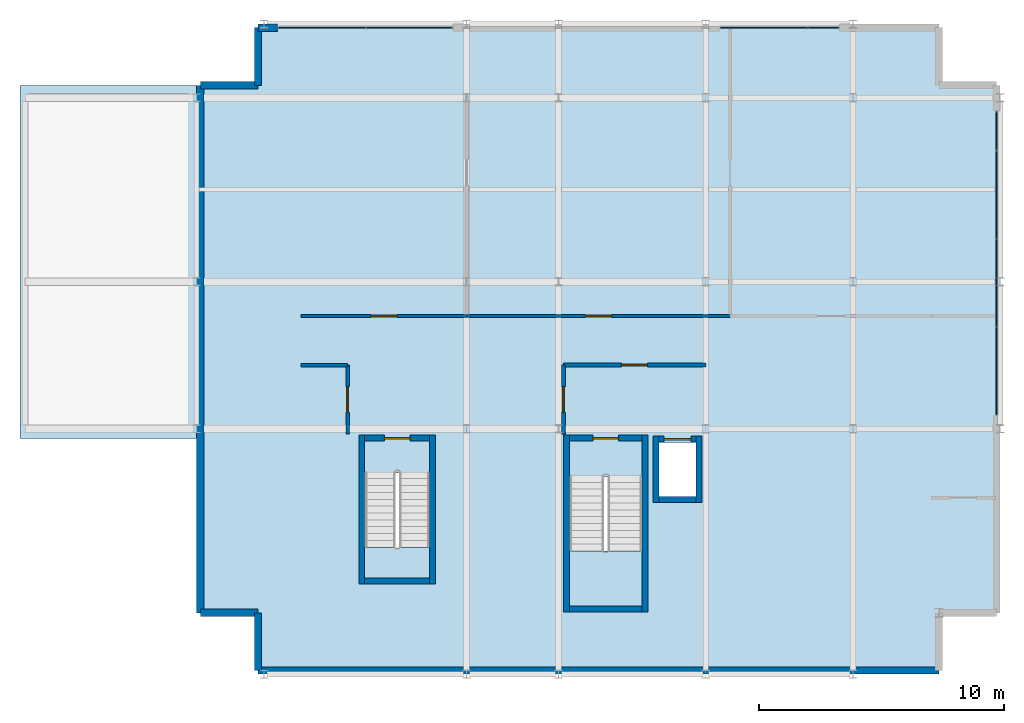
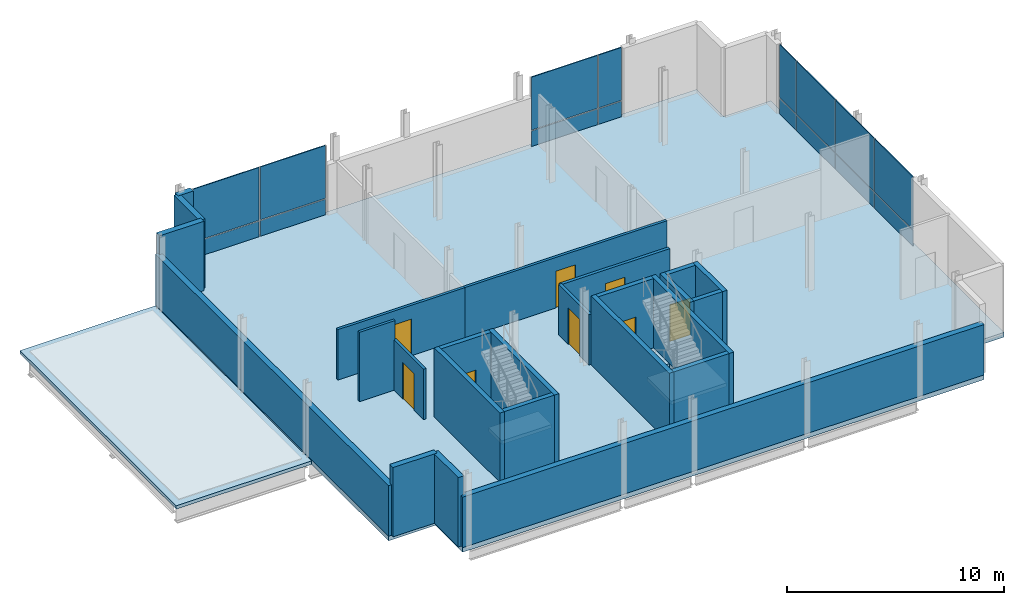
# One storey, part 9 of 11: 25 walls, 16 plates, 8 doors, 4 slabs, 8 openings, 5 elements without a shape of their own.
"""IFC4 building model written with IfcOpenShell, lengths in metres."""

import ifcopenshell
import ifcopenshell.guid

model = None  # the IFC model being written
_history = None  # IfcOwnerHistory: only IFC2X3 demands one
_inside = {}  # id of a spatial element -> (the spatial element, [elements in it])
_under = {}  # id of a project, library or spatial element -> (it, [spatial elements below it])
_declared = {}  # id of a project -> (the project, [libraries it declares])
_typed = {}  # id of a type object -> (the type object, [elements of that type])
_made_of = {}  # id of a material, layer set ... -> (it, [elements and type objects made of it])


def new_model(schema):
    """Start an empty IFC model of exactly this schema.

    Asked for "IFC4X3", IfcOpenShell would pick the latest addendum, in which some entities
    have other attributes; the version numbers below select the first issue.
    IFC2X3 requires an IfcOwnerHistory on every rooted entity: one is made here for all.
    """
    global model, _history
    if schema == "IFC4X3":
        model = ifcopenshell.file(schema_version=(4, 3, 0, 0))
    else:
        model = ifcopenshell.file(schema=schema)
    _inside.clear()
    _under.clear()
    _declared.clear()
    _typed.clear()
    _made_of.clear()
    _history = None
    if model.schema == "IFC2X3":
        org = make("IfcOrganization", Name="unknown")
        user = make(
            "IfcPersonAndOrganization",
            ThePerson=make("IfcPerson", FamilyName="unknown"),
            TheOrganization=org,
        )
        app = make(
            "IfcApplication",
            ApplicationDeveloper=org,
            Version="unknown",
            ApplicationFullName="unknown",
            ApplicationIdentifier="unknown",
        )
        _history = make(
            "IfcOwnerHistory",
            OwningUser=user,
            OwningApplication=app,
            ChangeAction="ADDED",
            CreationDate=0,
        )
    return model


def make(cls, **values):
    """One entity of the class cls with the attributes given. An attribute that is None is left unset."""
    return model.create_entity(
        cls, **{name: value for name, value in values.items() if value is not None}
    )


def rooted(cls, **values):
    """An entity with a GlobalId (a new one), such as an element, a storey or a relation."""
    return make(cls, GlobalId=ifcopenshell.guid.new(), OwnerHistory=_history, **values)


def si_unit(unit_type, name, prefix=None):
    """IfcSIUnit, for example si_unit("LENGTHUNIT", "METRE", prefix="MILLI")."""
    return make("IfcSIUnit", UnitType=unit_type, Prefix=prefix, Name=name)


def assignment(units):
    """IfcUnitAssignment: the units of a project."""
    return None if units is None else make("IfcUnitAssignment", Units=units)


def point(xyz):
    """IfcCartesianPoint."""
    return None if xyz is None else make("IfcCartesianPoint", Coordinates=xyz)


def direction(xyz):
    """IfcDirection."""
    return None if xyz is None else make("IfcDirection", DirectionRatios=xyz)


def frame(location, z_axis=None, x_axis=None):
    """IfcAxis2Placement3D, a coordinate frame: its origin and axes. An axis left out is left unset."""
    return make(
        "IfcAxis2Placement3D",
        Location=point(location),
        Axis=direction(z_axis),
        RefDirection=direction(x_axis),
    )


def frame_2d(location, x_axis=None):
    """IfcAxis2Placement2D, a coordinate frame in the plane: its origin and x axis."""
    return make(
        "IfcAxis2Placement2D", Location=point(location), RefDirection=direction(x_axis)
    )


def origin():
    """The frame at (0, 0, 0) with its axes left unset."""
    return frame((0.0, 0.0, 0.0))


def origin_2d():
    """The frame at (0, 0) in the plane with its x axis left unset."""
    return frame_2d((0.0, 0.0))


def place(relative_to, where):
    """IfcLocalPlacement: puts the frame where relative to a parent placement (None: the world)."""
    return make(
        "IfcLocalPlacement", PlacementRelTo=relative_to, RelativePlacement=where
    )


def context(
    kind, dimensions, precision=None, world=None, true_north=None, identifier=None
):
    """IfcGeometricRepresentationContext, for example the 3D "Model" context."""
    return make(
        "IfcGeometricRepresentationContext",
        ContextIdentifier=identifier,
        ContextType=kind,
        CoordinateSpaceDimension=dimensions,
        Precision=precision,
        WorldCoordinateSystem=world,
        TrueNorth=true_north,
    )


def subcontext(parent, identifier, kind, view, scale=None):
    """IfcGeometricRepresentationSubContext, for example "Body" below "Model"."""
    return make(
        "IfcGeometricRepresentationSubContext",
        ContextIdentifier=identifier,
        ContextType=kind,
        ParentContext=parent,
        TargetScale=scale,
        TargetView=view,
    )


def project(units=None, contexts=None):
    """IfcProject with its units and contexts."""
    return rooted(
        "IfcProject",
        Name="project",
        RepresentationContexts=contexts,
        UnitsInContext=assignment(units),
    )


def spatial(cls, under=None, at=None, **own):
    """A site, building, storey or space (cls), placed at a placement, below another one or the project."""
    s = rooted(cls, ObjectPlacement=at, **own)
    if under is not None:
        _under.setdefault(under.id(), (under, []))[1].append(s)
    return s


def polyline(points):
    """IfcPolyline through the points."""
    return make("IfcPolyline", Points=[point(p) for p in points])


def profile(cls, at=None, kind="AREA", **sizes):
    """A parametric profile (cls). Its sizes go by their IFC names, for example OverallWidth=200.0."""
    return make(cls, ProfileType=kind, Position=at, **sizes)


def rectangle(**sizes):
    """IfcRectangleProfileDef."""
    return profile("IfcRectangleProfileDef", **sizes)


def outline(outer, holes=None, kind="AREA"):
    """IfcArbitraryClosedProfileDef: a profile drawn as a closed curve; with holes, ...WithVoids."""
    if holes is None:
        return make("IfcArbitraryClosedProfileDef", ProfileType=kind, OuterCurve=outer)
    return make(
        "IfcArbitraryProfileDefWithVoids",
        ProfileType=kind,
        OuterCurve=outer,
        InnerCurves=holes,
    )


def extrude(swept, where, along, depth):
    """IfcExtrudedAreaSolid: the profile swept, set in the frame where, extruded along a direction by depth."""
    return make(
        "IfcExtrudedAreaSolid",
        SweptArea=swept,
        Position=where,
        ExtrudedDirection=direction(along),
        Depth=depth,
    )


def shape(context_of_items, identifier, shape_type, items):
    """IfcShapeRepresentation: the items that make up one representation, for example the "Body"."""
    return make(
        "IfcShapeRepresentation",
        ContextOfItems=context_of_items,
        RepresentationIdentifier=identifier,
        RepresentationType=shape_type,
        Items=items,
    )


def material(Name=None, Category=None):
    """IfcMaterial."""
    return make("IfcMaterial", Name=Name, Category=Category)


def layer(
    of_material, thickness, ventilated=None, Name=None, Category=None, Priority=None
):
    """IfcMaterialLayer: one layer of a wall or slab, of a material (None: an air gap)."""
    return make(
        "IfcMaterialLayer",
        Material=of_material,
        LayerThickness=thickness,
        IsVentilated=ventilated,
        Name=Name,
        Category=Category,
        Priority=Priority,
    )


def layer_set(layers, Name=None):
    """IfcMaterialLayerSet."""
    return make("IfcMaterialLayerSet", MaterialLayers=layers, LayerSetName=Name)


def made_of(thing, what):
    """Note that an element or type object is made of a material, layer set ...; save() writes the relation."""
    if what is not None:
        _made_of.setdefault(what.id(), (what, []))[1].append(thing)
    return thing


def type_object(cls, material=None, **own):
    """A type object (cls), such as IfcWallType, which elements share."""
    return made_of(rooted(cls, **own), material)


def element(
    cls,
    number,
    at=None,
    inside=None,
    cuts=None,
    type_object=None,
    material=None,
    context=None,
    identifier="Body",
    shape_type=None,
    held_by="IfcProductDefinitionShape",
    body=None,
    shapes=None,
    **own,
):
    """One element of the class cls, such as IfcWall. Its Tag is "e" and its number.

    at: its placement. inside: the storey or other place that contains it. cuts: it is an
    opening in that element (IfcRelVoidsElement). A single representation is given by context,
    identifier, shape_type and body (its items); several are given by shapes. held_by: the class
    of the entity that holds the representations. save() writes the other relations.
    """
    e = rooted(cls, Tag="e%d" % number, ObjectPlacement=at, **own)
    if body is not None:
        shapes = [shape(context, identifier, shape_type, body)]
    if shapes is not None:
        e.Representation = make(held_by, Representations=shapes)
    if inside is not None:
        _inside.setdefault(inside.id(), (inside, []))[1].append(e)
    if cuts is not None:
        rooted(
            "IfcRelVoidsElement", RelatingBuildingElement=cuts, RelatedOpeningElement=e
        )
    if type_object is not None:
        _typed.setdefault(type_object.id(), (type_object, []))[1].append(e)
    return made_of(e, material)


def fill(opening, filler):
    """IfcRelFillsElement: the door or window that sits in an opening."""
    return rooted(
        "IfcRelFillsElement",
        RelatingOpeningElement=opening,
        RelatedBuildingElement=filler,
    )


def aggregate(whole, parts):
    """IfcRelAggregates: a whole, such as a stair, and the parts it consists of."""
    return rooted("IfcRelAggregates", RelatingObject=whole, RelatedObjects=parts)


def save(model, path):
    """Write the relations noted so far, then the file.

    IfcRelAggregates (storeys below a building ...), IfcRelContainedInSpatialStructure (elements
    in a storey), IfcRelDefinesByType, IfcRelAssociatesMaterial and IfcRelDeclares: one each for
    every whole, place, type object, material and project.
    """
    for whole, parts in _under.values():
        aggregate(whole, parts)
    for where, things in _inside.values():
        rooted(
            "IfcRelContainedInSpatialStructure",
            RelatedElements=things,
            RelatingStructure=where,
        )
    for kind, things in _typed.values():
        rooted("IfcRelDefinesByType", RelatedObjects=things, RelatingType=kind)
    for what, things in _made_of.values():
        rooted("IfcRelAssociatesMaterial", RelatedObjects=things, RelatingMaterial=what)
    for by, libraries in _declared.values():
        rooted("IfcRelDeclares", RelatingContext=by, RelatedDefinitions=libraries)
    model.write(path)


model = new_model("IFC4")

# Units and contexts
model_context = context("Model", 3, precision=1e-05, world=origin(), true_north=direction((0.0, 1.0)))
body_context = subcontext(model_context, "Body", "Model", "MODEL_VIEW")
ifc_project = project(units=[si_unit("LENGTHUNIT", "METRE"), si_unit("AREAUNIT", "SQUARE_METRE"), si_unit("VOLUMEUNIT", "CUBIC_METRE"), si_unit("PLANEANGLEUNIT", "RADIAN"), si_unit("MASSUNIT", "GRAM", prefix="KILO")], contexts=[model_context])

# Site, building, storey
site_placement = place(None, origin())
site = spatial("IfcSite", under=ifc_project, at=site_placement, CompositionType="ELEMENT")
building_placement = place(site_placement, origin())
building = spatial("IfcBuilding", under=site, at=building_placement, Name="Brevholm Reach", CompositionType="ELEMENT")
storey_placement = place(building_placement, frame((0.0, 0.0, 247.25)))
storey = spatial("IfcBuildingStorey", under=building, at=storey_placement, Name="L75", CompositionType="ELEMENT", Elevation=247.25)

# Curtain wall, plates
ifc_material_1 = material(Name="Dark Anodised Aluminium 6063-T6 and Solar-Control Glass", Category="aluminium")
ifc_layer_1 = layer(ifc_material_1, 0.1201171875)
ifc_layer_set_1 = layer_set([ifc_layer_1], Name="Dark Anodised Aluminium 6063-T6 and Solar-Control Glass")
curtain_wall_type = type_object("IfcCurtainWallType", Name="CW-06", PredefinedType="NOTDEFINED", material=ifc_layer_set_1)
curtain_wall_1_placement = place(storey_placement, origin())
curtain_wall_1 = element("IfcCurtainWall", 1, at=curtain_wall_1_placement, inside=storey, type_object=curtain_wall_type, Name="L75 Curtain Wall CW-06", PredefinedType="NOTDEFINED")
ifc_material_2 = material(Name="Champagne-Bronze Anodised Aluminium Acoustic Louvre", Category="aluminium")
ifc_layer_2 = layer(ifc_material_2, 0.052001953125)
ifc_layer_set_2 = layer_set([ifc_layer_2], Name="Champagne-Bronze Anodised Aluminium Acoustic Louvre")
plate_type = type_object("IfcPlateType", Name="CWP-LVR-52", PredefinedType="CURTAIN_PANEL", material=ifc_layer_set_2)
plate_1_placement = place(storey_placement, frame((59.85009765625, 12.36376953125, 0.0), z_axis=(0.0, 0.0, 1.0), x_axis=(0.0, 1.0, 0.0)))
plate_1 = element("IfcPlate", 2, at=plate_1_placement, type_object=plate_type, Name="CP-04 Glazing Panel 1.1", PredefinedType="CURTAIN_PANEL", context=body_context, shape_type="SweptSolid", body=[
    extrude(rectangle(XDim=3.517578125, YDim=0.052001953125, at=origin_2d()), origin(), (0.0, 0.0, 1.0), 0.87255859375),
])
plate_2_placement = place(storey_placement, frame((59.85009765625, 12.36376953125, 0.927734375), z_axis=(0.0, 0.0, 1.0), x_axis=(0.0, 1.0, 0.0)))
plate_2 = element("IfcPlate", 3, at=plate_2_placement, type_object=plate_type, Name="CP-04 Glazing Panel 1.2", PredefinedType="CURTAIN_PANEL", context=body_context, shape_type="SweptSolid", body=[
    extrude(rectangle(XDim=3.517578125, YDim=0.052001953125, at=origin_2d()), origin(), (0.0, 0.0, 1.0), 2.972412109375),
])
plate_3_placement = place(storey_placement, frame((59.85009765625, 15.949951171875, 0.0), z_axis=(0.0, 0.0, 1.0), x_axis=(0.0, 1.0, 0.0)))
plate_3 = element("IfcPlate", 4, at=plate_3_placement, type_object=plate_type, Name="CP-04 Glazing Panel 2.1", PredefinedType="CURTAIN_PANEL", context=body_context, shape_type="SweptSolid", body=[
    extrude(rectangle(XDim=3.544921875, YDim=0.052001953125, at=origin_2d()), origin(), (0.0, 0.0, 1.0), 0.87255859375),
])
plate_4_placement = place(storey_placement, frame((59.85009765625, 15.949951171875, 0.927734375), z_axis=(0.0, 0.0, 1.0), x_axis=(0.0, 1.0, 0.0)))
plate_4 = element("IfcPlate", 5, at=plate_4_placement, type_object=plate_type, Name="CP-04 Glazing Panel 2.2", PredefinedType="CURTAIN_PANEL", context=body_context, shape_type="SweptSolid", body=[
    extrude(rectangle(XDim=3.544921875, YDim=0.052001953125, at=origin_2d()), origin(), (0.0, 0.0, 1.0), 2.972412109375),
])
plate_5_placement = place(storey_placement, frame((59.85009765625, 19.550048828125, 0.0), z_axis=(0.0, 0.0, 1.0), x_axis=(0.0, 1.0, 0.0)))
plate_5 = element("IfcPlate", 6, at=plate_5_placement, type_object=plate_type, Name="CP-04 Glazing Panel 3.1", PredefinedType="CURTAIN_PANEL", context=body_context, shape_type="SweptSolid", body=[
    extrude(rectangle(XDim=3.544921875, YDim=0.052001953125, at=origin_2d()), origin(), (0.0, 0.0, 1.0), 0.87255859375),
])
plate_6_placement = place(storey_placement, frame((59.85009765625, 19.550048828125, 0.927734375), z_axis=(0.0, 0.0, 1.0), x_axis=(0.0, 1.0, 0.0)))
plate_6 = element("IfcPlate", 7, at=plate_6_placement, type_object=plate_type, Name="CP-04 Glazing Panel 3.2", PredefinedType="CURTAIN_PANEL", context=body_context, shape_type="SweptSolid", body=[
    extrude(rectangle(XDim=3.544921875, YDim=0.052001953125, at=origin_2d()), origin(), (0.0, 0.0, 1.0), 2.972412109375),
])
plate_7_placement = place(storey_placement, frame((59.85009765625, 22.13623046875, 0.0), z_axis=(0.0, 0.0, 1.0), x_axis=(0.0, 1.0, 0.0)))
plate_7 = element("IfcPlate", 8, at=plate_7_placement, type_object=plate_type, Name="CP-04 Glazing Panel 4.1", PredefinedType="CURTAIN_PANEL", context=body_context, shape_type="SweptSolid", body=[
    extrude(rectangle(XDim=1.517578125, YDim=0.052001953125, at=origin_2d()), origin(), (0.0, 0.0, 1.0), 0.87255859375),
])
plate_8_placement = place(storey_placement, frame((59.85009765625, 22.13623046875, 0.927734375), z_axis=(0.0, 0.0, 1.0), x_axis=(0.0, 1.0, 0.0)))
plate_8 = element("IfcPlate", 9, at=plate_8_placement, type_object=plate_type, Name="CP-04 Glazing Panel 4.2", PredefinedType="CURTAIN_PANEL", context=body_context, shape_type="SweptSolid", body=[
    extrude(rectangle(XDim=1.517578125, YDim=0.052001953125, at=origin_2d()), origin(), (0.0, 0.0, 1.0), 2.972412109375),
])
aggregate(curtain_wall_1, [plate_1, plate_2, plate_3, plate_4, plate_5, plate_6, plate_7, plate_8])

curtain_wall_2_placement = place(storey_placement, origin())
curtain_wall_2 = element("IfcCurtainWall", 10, at=curtain_wall_2_placement, inside=storey, type_object=curtain_wall_type, Name="L75 Curtain Wall CW-06", PredefinedType="NOTDEFINED")
plate_9_placement = place(storey_placement, frame((32.36376953125, 26.35009765625, 0.0), z_axis=(0.0, 0.0, 1.0), x_axis=(1.0, 0.0, 0.0)))
plate_9 = element("IfcPlate", 11, at=plate_9_placement, type_object=plate_type, Name="CP-04 Glazing Panel 1.1", PredefinedType="CURTAIN_PANEL", context=body_context, shape_type="SweptSolid", body=[
    extrude(rectangle(XDim=3.517578125, YDim=0.052001953125, at=origin_2d()), origin(), (0.0, 0.0, 1.0), 0.87255859375),
])
plate_10_placement = place(storey_placement, frame((32.36376953125, 26.35009765625, 0.927734375), z_axis=(0.0, 0.0, 1.0), x_axis=(1.0, 0.0, 0.0)))
plate_10 = element("IfcPlate", 12, at=plate_10_placement, type_object=plate_type, Name="CP-04 Glazing Panel 1.2", PredefinedType="CURTAIN_PANEL", context=body_context, shape_type="SweptSolid", body=[
    extrude(rectangle(XDim=3.517578125, YDim=0.052001953125, at=origin_2d()), origin(), (0.0, 0.0, 1.0), 2.972412109375),
])
plate_11_placement = place(storey_placement, frame((35.9111328125, 26.35009765625, 0.0), z_axis=(0.0, 0.0, 1.0), x_axis=(1.0, 0.0, 0.0)))
plate_11 = element("IfcPlate", 13, at=plate_11_placement, type_object=plate_type, Name="CP-04 Glazing Panel 2.1", PredefinedType="CURTAIN_PANEL", context=body_context, shape_type="SweptSolid", body=[
    extrude(rectangle(XDim=3.467529296875, YDim=0.052001953125, at=origin_2d()), origin(), (0.0, 0.0, 1.0), 0.87255859375),
])
plate_12_placement = place(storey_placement, frame((35.9111328125, 26.35009765625, 0.927734375), z_axis=(0.0, 0.0, 1.0), x_axis=(1.0, 0.0, 0.0)))
plate_12 = element("IfcPlate", 14, at=plate_12_placement, type_object=plate_type, Name="CP-04 Glazing Panel 2.2", PredefinedType="CURTAIN_PANEL", context=body_context, shape_type="SweptSolid", body=[
    extrude(rectangle(XDim=3.467529296875, YDim=0.052001953125, at=origin_2d()), origin(), (0.0, 0.0, 1.0), 2.972412109375),
])
aggregate(curtain_wall_2, [plate_9, plate_10, plate_11, plate_12])

curtain_wall_3_placement = place(storey_placement, origin())
curtain_wall_3 = element("IfcCurtainWall", 15, at=curtain_wall_3_placement, inside=storey, type_object=curtain_wall_type, Name="L75 Curtain Wall CW-06", PredefinedType="NOTDEFINED")
plate_13_placement = place(storey_placement, frame((50.36376953125, 26.35009765625, 0.0), z_axis=(0.0, 0.0, 1.0), x_axis=(1.0, 0.0, 0.0)))
plate_13 = element("IfcPlate", 16, at=plate_13_placement, type_object=plate_type, Name="CP-04 Glazing Panel 1.1", PredefinedType="CURTAIN_PANEL", context=body_context, shape_type="SweptSolid", body=[
    extrude(rectangle(XDim=3.517578125, YDim=0.052001953125, at=origin_2d()), origin(), (0.0, 0.0, 1.0), 0.87255859375),
])
plate_14_placement = place(storey_placement, frame((50.36376953125, 26.35009765625, 0.927734375), z_axis=(0.0, 0.0, 1.0), x_axis=(1.0, 0.0, 0.0)))
plate_14 = element("IfcPlate", 17, at=plate_14_placement, type_object=plate_type, Name="CP-04 Glazing Panel 1.2", PredefinedType="CURTAIN_PANEL", context=body_context, shape_type="SweptSolid", body=[
    extrude(rectangle(XDim=3.517578125, YDim=0.052001953125, at=origin_2d()), origin(), (0.0, 0.0, 1.0), 2.972412109375),
])
plate_15_placement = place(storey_placement, frame((52.7861328125, 26.35009765625, 0.0), z_axis=(0.0, 0.0, 1.0), x_axis=(1.0, 0.0, 0.0)))
plate_15 = element("IfcPlate", 18, at=plate_15_placement, type_object=plate_type, Name="CP-04 Glazing Panel 2.1", PredefinedType="CURTAIN_PANEL", context=body_context, shape_type="SweptSolid", body=[
    extrude(rectangle(XDim=1.217529296875, YDim=0.052001953125, at=origin_2d()), origin(), (0.0, 0.0, 1.0), 0.87255859375),
])
plate_16_placement = place(storey_placement, frame((52.7861328125, 26.35009765625, 0.927734375), z_axis=(0.0, 0.0, 1.0), x_axis=(1.0, 0.0, 0.0)))
plate_16 = element("IfcPlate", 19, at=plate_16_placement, type_object=plate_type, Name="CP-04 Glazing Panel 2.2", PredefinedType="CURTAIN_PANEL", context=body_context, shape_type="SweptSolid", body=[
    extrude(rectangle(XDim=1.217529296875, YDim=0.052001953125, at=origin_2d()), origin(), (0.0, 0.0, 1.0), 2.972412109375),
])
aggregate(curtain_wall_3, [plate_13, plate_14, plate_15, plate_16])

# Slab
ifc_material_3 = material(Name="Concrete C40/50", Category="concrete")
ifc_layer_3 = layer(ifc_material_3, 0.260009765625)
ifc_layer_set_3 = layer_set([ifc_layer_3], Name="Concrete C40/50")
slab_type_1 = type_object("IfcSlabType", Name="SLB-FL-260", PredefinedType="FLOOR", material=ifc_layer_set_3)
slab_1_placement = place(storey_placement, frame((0.0, 0.0, -0.260009765625)))
element("IfcSlab", 20, at=slab_1_placement, inside=storey, type_object=slab_type_1, Name="L75 Suspended Floor Slab (east-tower)", PredefinedType="FLOOR", context=body_context, shape_type="SweptSolid", body=[
    extrude(outline(polyline([(29.75, 0.0), (57.5, 0.0), (57.5, 2.5), (60.0, 2.5), (60.0, 24.0), (57.5, 24.0), (57.5, 26.5), (29.75, 26.5), (29.75, 24.0), (27.25, 24.0), (27.25, 2.5), (29.75, 2.5), (29.75, 0.0)]), holes=[polyline([(42.449951171875, 2.780029296875), (45.39990234375, 2.780029296875), (45.39990234375, 8.044921875), (42.449951171875, 8.044921875), (42.449951171875, 2.780029296875)]), polyline([(34.10009765625, 3.919921875), (36.75, 3.919921875), (36.75, 8.195068359375), (34.10009765625, 8.195068359375), (34.10009765625, 3.919921875)]), polyline([(46.10009765625, 7.25), (47.60009765625, 7.25), (47.60009765625, 9.449951171875), (46.10009765625, 9.449951171875), (46.10009765625, 7.25)])]), origin(), (0.0, 0.0, 1.0), 0.260009765625),
])

# Stair, slab
ifc_material_4 = material(Name="Precast Concrete C40/50", Category="concrete")
stair_type_1 = type_object("IfcStairType", Name="STR-ESC-1400", PredefinedType="DOUBLE_RETURN_STAIR", material=ifc_material_4)
stair_1_placement = place(storey_placement, origin())
stair_1 = element("IfcStair", 21, at=stair_1_placement, inside=storey, type_object=stair_type_1, Name="L75 ST-2", PredefinedType="DOUBLE_RETURN_STAIR")
ifc_material_5 = material(Name="Concrete C40/50", Category="concrete")
ifc_layer_4 = layer(ifc_material_5, 0.199951171875)
ifc_layer_set_4 = layer_set([ifc_layer_4], Name="Concrete C40/50")
slab_type_2 = type_object("IfcSlabType", Name="SLB-LND-200", PredefinedType="LANDING", material=ifc_layer_set_4)
slab_2_placement = place(storey_placement, frame((0.0, 0.0, 1.89990234375)))
slab_2 = element("IfcSlab", 22, at=slab_2_placement, type_object=slab_type_2, Name="ST-2 landing 1", PredefinedType="LANDING", context=body_context, shape_type="SweptSolid", body=[
    extrude(outline(polyline([(42.449951171875, 5.02001953125), (42.449951171875, 2.780029296875), (45.39990234375, 2.780029296875), (45.39990234375, 5.02001953125), (42.449951171875, 5.02001953125)])), origin(), (0.0, 0.0, 1.0), 0.2001953125),
])
aggregate(stair_1, [slab_2])

ifc_material_6 = material(Name="Precast Concrete C40/50", Category="concrete")
stair_type_2 = type_object("IfcStairType", Name="STR-ESC-1250", PredefinedType="DOUBLE_RETURN_STAIR", material=ifc_material_6)
stair_2_placement = place(storey_placement, origin())
stair_2 = element("IfcStair", 23, at=stair_2_placement, inside=storey, type_object=stair_type_2, Name="L75 ST-3", PredefinedType="DOUBLE_RETURN_STAIR")
slab_3_placement = place(storey_placement, frame((0.0, 0.0, 1.89990234375)))
slab_3 = element("IfcSlab", 24, at=slab_3_placement, type_object=slab_type_2, Name="ST-3 landing 1", PredefinedType="LANDING", context=body_context, shape_type="SweptSolid", body=[
    extrude(outline(polyline([(34.10009765625, 5.169921875), (34.10009765625, 3.919921875), (36.75, 3.919921875), (36.75, 5.169921875), (34.10009765625, 5.169921875)])), origin(), (0.0, 0.0, 1.0), 0.2001953125),
])
aggregate(stair_2, [slab_3])

# Slab
ifc_material_7 = material(Name="Concrete C40/50", Category="concrete")
ifc_layer_5 = layer(ifc_material_7, 0.18994140625)
ifc_layer_set_5 = layer_set([ifc_layer_5], Name="Concrete C40/50")
slab_type_3 = type_object("IfcSlabType", Name="SLB-RF-190", PredefinedType="ROOF", material=ifc_layer_set_5)
slab_4_placement = place(storey_placement, frame((0.0, 0.0, -0.260009765625)))
element("IfcSlab", 25, at=slab_4_placement, inside=storey, type_object=slab_type_3, Name="Outdoor Terrace Roof Slab (sky-lounge-roof)", PredefinedType="ROOF", context=body_context, shape_type="SweptSolid", body=[
    extrude(outline(polyline([(20.050048828125, 9.60009765625), (27.25, 9.60009765625), (27.25, 24.0), (20.050048828125, 24.0), (20.050048828125, 9.60009765625)])), origin(), (0.0, 0.0, 1.0), 0.18994140625),
])

# Walls
ifc_material_8 = material(Name="Concrete C45/55", Category="concrete")
ifc_layer_6 = layer(ifc_material_8, 0.239990234375)
ifc_layer_set_6 = layer_set([ifc_layer_6], Name="Concrete C45/55")
wall_type_1 = type_object("IfcWallType", Name="WAL-COR-240", PredefinedType="SHEAR", material=ifc_layer_set_6)
for number, where, z_axis, x_axis, name in (
    (26, (42.330078125, 2.5400390625, 0.0), (0.0, 0.0, 1.0), (0.0, 1.0, 0.0), "L75 Escape Stair ST-2 Core Wall W"),
    (27, (45.52001953125, 2.5400390625, 0.0), (0.0, 0.0, 1.0), (0.0, 1.0, 0.0), "L75 Escape Stair ST-2 Core Wall E"),
):
    element("IfcWall", number, at=place(storey_placement, frame(where, z_axis=z_axis, x_axis=x_axis)), inside=storey, type_object=wall_type_1, Name=name, PredefinedType="SHEAR", context=body_context, shape_type="SweptSolid", body=[
        extrude(rectangle(XDim=7.199951171875, YDim=0.239990234375, at=frame_2d((3.60009765625, 0.0))), origin(), (0.0, 0.0, 1.0), 3.89990234375),
    ])
wall_1_placement = place(storey_placement, frame((42.449951171875, 2.659912109375, 0.0), z_axis=(0.0, 0.0, 1.0), x_axis=(1.0, 0.0, 0.0)))
element("IfcWall", 28, at=wall_1_placement, inside=storey, type_object=wall_type_1, Name="L75 Escape Stair ST-2 Core Wall S", PredefinedType="SHEAR", context=body_context, shape_type="SweptSolid", body=[
    extrude(rectangle(XDim=2.949951171875, YDim=0.239990234375, at=frame_2d((1.47509765625, 0.0))), origin(), (0.0, 0.0, 1.0), 3.89990234375),
])

# Wall, opening, door
wall_2_placement = place(storey_placement, frame((45.39990234375, 9.6201171875, 0.0), z_axis=(0.0, 0.0, 1.0), x_axis=(-1.0, 0.0, 0.0)))
wall_2 = element("IfcWall", 29, at=wall_2_placement, inside=storey, type_object=wall_type_1, Name="L75 Escape Stair ST-2 Core Wall N", PredefinedType="SHEAR", context=body_context, shape_type="SweptSolid", body=[
    extrude(rectangle(XDim=2.949951171875, YDim=0.239990234375, at=frame_2d((1.47509765625, 0.0))), origin(), (0.0, 0.0, 1.0), 3.89990234375),
])
opening_1_placement = place(wall_2_placement, frame((0.949951171875, 0.0, 0.0)))
opening_1 = element("IfcOpeningElement", 30, at=opening_1_placement, cuts=wall_2, Name="Opening SD-ST-2", PredefinedType="OPENING", context=body_context, shape_type="SweptSolid", body=[
    extrude(rectangle(XDim=1.050048828125, YDim=2.06005859375, at=frame_2d((0.52490234375, 1.030029296875))), frame((0.0, 0.1298828125, 0.0), z_axis=(0.0, -1.0, 0.0), x_axis=(1.0, 0.0, 0.0)), (0.0, 0.0, 1.0), 0.260009765625),
])
ifc_material_9 = material(Name="Hardwood-Lipped Steel-Core Fire and Smoke Door", Category="steel")
door_type_1 = type_object("IfcDoorType", Name="DOR-INT-FD60S", OperationType="NOTDEFINED", PredefinedType="DOOR", material=ifc_material_9)
door_1_placement = place(opening_1_placement, origin())
door_1 = element("IfcDoor", 31, at=door_1_placement, inside=storey, type_object=door_type_1, Name="L75 Protected Stair ST-2 Lobby Door", OperationType="SINGLE_SWING_RIGHT", OverallHeight=2.06005859375, OverallWidth=1.050048828125, PredefinedType="DOOR", context=body_context, shape_type="SweptSolid", body=[
    extrude(rectangle(XDim=1.050048828125, YDim=2.06005859375, at=frame_2d((0.52490234375, 1.030029296875))), frame((0.0, 0.02490234375, 0.0), z_axis=(0.0, -1.0, 0.0), x_axis=(1.0, 0.0, 0.0)), (0.0, 0.0, 1.0), 0.050048828125),
])
fill(opening_1, door_1)

# Walls
for number, where, z_axis, x_axis, name in (
    (32, (33.97998046875, 3.679931640625, 0.0), (0.0, 0.0, 1.0), (0.0, 1.0, 0.0), "L75 Escape Stair ST-3 Core Wall W"),
    (33, (36.8701171875, 3.679931640625, 0.0), (0.0, 0.0, 1.0), (0.0, 1.0, 0.0), "L75 Escape Stair ST-3 Core Wall E"),
):
    element("IfcWall", number, at=place(storey_placement, frame(where, z_axis=z_axis, x_axis=x_axis)), inside=storey, type_object=wall_type_1, Name=name, PredefinedType="SHEAR", context=body_context, shape_type="SweptSolid", body=[
        extrude(rectangle(XDim=6.06005859375, YDim=0.239990234375, at=frame_2d((3.030029296875, 0.0))), origin(), (0.0, 0.0, 1.0), 3.89990234375),
    ])
wall_3_placement = place(storey_placement, frame((34.10009765625, 3.800048828125, 0.0), z_axis=(0.0, 0.0, 1.0), x_axis=(1.0, 0.0, 0.0)))
element("IfcWall", 34, at=wall_3_placement, inside=storey, type_object=wall_type_1, Name="L75 Escape Stair ST-3 Core Wall S", PredefinedType="SHEAR", context=body_context, shape_type="SweptSolid", body=[
    extrude(rectangle(XDim=2.64990234375, YDim=0.239990234375, at=frame_2d((1.324951171875, 0.0))), origin(), (0.0, 0.0, 1.0), 3.89990234375),
])

# Wall, opening, door
wall_4_placement = place(storey_placement, frame((36.75, 9.6201171875, 0.0), z_axis=(0.0, 0.0, 1.0), x_axis=(-1.0, 0.0, 0.0)))
wall_4 = element("IfcWall", 35, at=wall_4_placement, inside=storey, type_object=wall_type_1, Name="L75 Escape Stair ST-3 Core Wall N", PredefinedType="SHEAR", context=body_context, shape_type="SweptSolid", body=[
    extrude(rectangle(XDim=2.64990234375, YDim=0.239990234375, at=frame_2d((1.324951171875, 0.0))), origin(), (0.0, 0.0, 1.0), 3.89990234375),
])
opening_2_placement = place(wall_4_placement, frame((0.800048828125, 0.0, 0.0)))
opening_2 = element("IfcOpeningElement", 36, at=opening_2_placement, cuts=wall_4, Name="Opening SD-ST-3", PredefinedType="OPENING", context=body_context, shape_type="SweptSolid", body=[
    extrude(rectangle(XDim=1.050048828125, YDim=2.06005859375, at=frame_2d((0.52490234375, 1.030029296875))), frame((0.0, 0.1298828125, 0.0), z_axis=(0.0, -1.0, 0.0), x_axis=(1.0, 0.0, 0.0)), (0.0, 0.0, 1.0), 0.260009765625),
])
door_2_placement = place(opening_2_placement, origin())
door_2 = element("IfcDoor", 37, at=door_2_placement, inside=storey, type_object=door_type_1, Name="L75 Protected Stair ST-3 Lobby Door", OperationType="SINGLE_SWING_RIGHT", OverallHeight=2.06005859375, OverallWidth=1.050048828125, PredefinedType="DOOR", context=body_context, shape_type="SweptSolid", body=[
    extrude(rectangle(XDim=1.050048828125, YDim=2.06005859375, at=frame_2d((0.52490234375, 1.030029296875))), frame((0.0, 0.02490234375, 0.0), z_axis=(0.0, -1.0, 0.0), x_axis=(1.0, 0.0, 0.0)), (0.0, 0.0, 1.0), 0.050048828125),
])
fill(opening_2, door_2)

# Walls
for number, where, z_axis, x_axis, name in (
    (38, (45.969970703125, 7.0, 0.0), (0.0, 0.0, 1.0), (0.0, 1.0, 0.0), "L75 Lift FFL-2 Shaft Wall W"),
    (39, (47.72998046875, 7.0, 0.0), (0.0, 0.0, 1.0), (0.0, 1.0, 0.0), "L75 Lift FFL-2 Shaft Wall E"),
):
    element("IfcWall", number, at=place(storey_placement, frame(where, z_axis=z_axis, x_axis=x_axis)), inside=storey, type_object=wall_type_1, Name=name, PredefinedType="SHEAR", context=body_context, shape_type="SweptSolid", body=[
        extrude(rectangle(XDim=2.699951171875, YDim=0.239990234375, at=frame_2d((1.35009765625, 0.0))), origin(), (0.0, 0.0, 1.0), 3.89990234375),
    ])
wall_5_placement = place(storey_placement, frame((46.090087890625, 7.1201171875, 0.0), z_axis=(0.0, 0.0, 1.0), x_axis=(1.0, 0.0, 0.0)))
element("IfcWall", 40, at=wall_5_placement, inside=storey, type_object=wall_type_1, Name="L75 Lift FFL-2 Shaft Wall S", PredefinedType="SHEAR", context=body_context, shape_type="SweptSolid", body=[
    extrude(rectangle(XDim=1.52001953125, YDim=0.239990234375, at=frame_2d((0.760009765625, 0.0))), origin(), (0.0, 0.0, 1.0), 3.89990234375),
])

# Wall, opening, door
wall_6_placement = place(storey_placement, frame((46.090087890625, 9.580078125, 0.0), z_axis=(0.0, 0.0, 1.0), x_axis=(1.0, 0.0, 0.0)))
wall_6 = element("IfcWall", 41, at=wall_6_placement, inside=storey, type_object=wall_type_1, Name="L75 Lift FFL-2 Shaft Wall N", PredefinedType="SHEAR", context=body_context, shape_type="SweptSolid", body=[
    extrude(rectangle(XDim=1.52001953125, YDim=0.239990234375, at=frame_2d((0.760009765625, 0.0))), origin(), (0.0, 0.0, 1.0), 3.89990234375),
])
opening_3_placement = place(wall_6_placement, frame((0.2099609375, 0.0, 0.0)))
opening_3 = element("IfcOpeningElement", 42, at=opening_3_placement, cuts=wall_6, Name="Opening LD-FFL-2", PredefinedType="OPENING", context=body_context, shape_type="SweptSolid", body=[
    extrude(rectangle(XDim=1.10009765625, YDim=2.06005859375, at=frame_2d((0.550048828125, 1.030029296875))), frame((0.0, 0.1298828125, 0.0), z_axis=(0.0, -1.0, 0.0), x_axis=(1.0, 0.0, 0.0)), (0.0, 0.0, 1.0), 0.260009765625),
])
ifc_material_10 = material(Name="Brushed Stainless Steel Fire-Rated Sliding Lift Door", Category="steel")
door_type_2 = type_object("IfcDoorType", Name="DOR-LFT-1100", OperationType="NOTDEFINED", PredefinedType="DOOR", material=ifc_material_10)
door_3_placement = place(opening_3_placement, origin())
door_3 = element("IfcDoor", 43, at=door_3_placement, inside=storey, type_object=door_type_2, Name="L75 Lift FFL-2 Sliding Landing Door", OperationType="SLIDING_TO_RIGHT", OverallHeight=2.06005859375, OverallWidth=1.10009765625, PredefinedType="DOOR", context=body_context, shape_type="SweptSolid", body=[
    extrude(rectangle(XDim=1.10009765625, YDim=2.06005859375, at=frame_2d((0.550048828125, 1.030029296875))), frame((0.0, 0.02490234375, 0.0), z_axis=(0.0, -1.0, 0.0), x_axis=(1.0, 0.0, 0.0)), (0.0, 0.0, 1.0), 0.050048828125),
])
fill(opening_3, door_3)

# Walls
ifc_material_11 = material(Name="Concrete C40/50", Category="concrete")
ifc_layer_7 = layer(ifc_material_11, 0.300048828125)
ifc_layer_set_7 = layer_set([ifc_layer_7], Name="Concrete C40/50")
wall_type_2 = type_object("IfcWallType", Name="WAL-EXT-300", PredefinedType="STANDARD", material=ifc_layer_set_7)
for number, where, z_axis, x_axis, name in (
    (44, (29.75, 2.5, 0.0), (0.0, 0.0, 1.0), (0.0, -1.0, 0.0), "L75 Facade Wall WAL-L75-CSW1"),
    (45, (27.39990234375, 2.5, 0.0), (0.0, 0.0, 1.0), (1.0, 0.0, 0.0), "L75 Facade Wall WAL-L75-CSW2"),
    (46, (29.75, 26.35009765625, 0.0), (0.0, 0.0, 1.0), (0.0, -1.0, 0.0), "L75 Facade Wall WAL-L75-CNW1"),
    (47, (29.75, 24.0, 0.0), (0.0, 0.0, 1.0), (-1.0, 0.0, 0.0), "L75 Facade Wall WAL-L75-CNW2"),
):
    element("IfcWall", number, at=place(storey_placement, frame(where, z_axis=z_axis, x_axis=x_axis)), inside=storey, type_object=wall_type_2, Name=name, PredefinedType="STANDARD", context=body_context, shape_type="SweptSolid", body=[
        extrude(rectangle(XDim=2.35009765625, YDim=0.300048828125, at=frame_2d((1.175048828125, 0.0))), origin(), (0.0, 0.0, 1.0), 3.89990234375),
    ])
wall_7_placement = place(storey_placement, frame((29.75, 0.14990234375, 0.0), z_axis=(0.0, 0.0, 1.0), x_axis=(1.0, 0.0, 0.0)))
element("IfcWall", 48, at=wall_7_placement, inside=storey, type_object=wall_type_2, Name="L75 Facade Wall WAL-L75-S", PredefinedType="STANDARD", context=body_context, shape_type="SweptSolid", body=[
    extrude(rectangle(XDim=27.75, YDim=0.300048828125, at=frame_2d((13.875, 0.0))), origin(), (0.0, 0.0, 1.0), 2.838623046875),
])
wall_8_placement = place(storey_placement, frame((29.75, 26.35009765625, 0.0), z_axis=(0.0, 0.0, 1.0), x_axis=(1.0, 0.0, 0.0)))
element("IfcWall", 49, at=wall_8_placement, inside=storey, type_object=wall_type_2, Name="L75 Facade Wall WAL-L75-NP-1", PredefinedType="STANDARD", context=body_context, shape_type="SweptSolid", body=[
    extrude(rectangle(XDim=0.800048828125, YDim=0.300048828125, at=frame_2d((0.39990234375, 0.0))), origin(), (0.0, 0.0, 1.0), 3.89990234375),
])
wall_9_placement = place(storey_placement, frame((27.39990234375, 24.0, 0.0), z_axis=(0.0, 0.0, 1.0), x_axis=(0.0, -1.0, 0.0)))
element("IfcWall", 50, at=wall_9_placement, inside=storey, type_object=wall_type_2, Name="L75 Facade Wall WAL-L75-W", PredefinedType="STANDARD", context=body_context, shape_type="SweptSolid", body=[
    extrude(rectangle(XDim=21.5, YDim=0.300048828125, at=frame_2d((10.75, 0.0))), origin(), (0.0, 0.0, 1.0), 2.838623046875),
])

# Wall, opening, door
ifc_material_12 = material(Name="Twin-Stud Acoustic Fire-Rated Gypsum Partition 140 mm", Category="gypsum")
ifc_layer_8 = layer(ifc_material_12, 0.139892578125)
ifc_layer_set_8 = layer_set([ifc_layer_8], Name="Twin-Stud Acoustic Fire-Rated Gypsum Partition 140 mm")
wall_type_3 = type_object("IfcWallType", Name="WAL-PRT-140", PredefinedType="PARTITIONING", material=ifc_layer_set_8)
wall_10_placement = place(storey_placement, frame((33.39990234375, 9.800048828125, 0.0), z_axis=(0.0, 0.0, 1.0), x_axis=(0.0, 1.0, 0.0)))
wall_10 = element("IfcWall", 51, at=wall_10_placement, inside=storey, type_object=wall_type_3, Name="L75 Internal Partition 003", PredefinedType="PARTITIONING", context=body_context, shape_type="SweptSolid", body=[
    extrude(rectangle(XDim=2.800048828125, YDim=0.139892578125, at=frame_2d((1.39990234375, 0.0))), origin(), (0.0, 0.0, 1.0), 2.838623046875),
])
opening_4_placement = place(wall_10_placement, frame((0.875, 0.0, 0.0)))
opening_4 = element("IfcOpeningElement", 52, at=opening_4_placement, cuts=wall_10, Name="Opening FD-01", PredefinedType="OPENING", context=body_context, shape_type="SweptSolid", body=[
    extrude(rectangle(XDim=1.050048828125, YDim=2.06005859375, at=frame_2d((0.52490234375, 1.030029296875))), frame((0.0, 0.079833984375, 0.0), z_axis=(0.0, -1.0, 0.0), x_axis=(1.0, 0.0, 0.0)), (0.0, 0.0, 1.0), 0.159912109375),
])
door_4_placement = place(opening_4_placement, origin())
door_4 = element("IfcDoor", 53, at=door_4_placement, inside=storey, type_object=door_type_1, Name="L75 Internal Door 003", OperationType="SINGLE_SWING_LEFT", OverallHeight=2.06005859375, OverallWidth=1.050048828125, PredefinedType="DOOR", context=body_context, shape_type="SweptSolid", body=[
    extrude(rectangle(XDim=1.050048828125, YDim=2.06005859375, at=frame_2d((0.52490234375, 1.030029296875))), frame((0.0, 0.02490234375, 0.0), z_axis=(0.0, -1.0, 0.0), x_axis=(1.0, 0.0, 0.0)), (0.0, 0.0, 1.0), 0.050048828125),
])
fill(opening_4, door_4)

wall_11_placement = place(storey_placement, frame((31.5, 14.60009765625, 0.0), z_axis=(0.0, 0.0, 1.0), x_axis=(1.0, 0.0, 0.0)))
wall_11 = element("IfcWall", 54, at=wall_11_placement, inside=storey, type_object=wall_type_3, Name="L75 Internal Partition 004", PredefinedType="PARTITIONING", context=body_context, shape_type="SweptSolid", body=[
    extrude(rectangle(XDim=6.76123046875, YDim=0.139892578125, at=frame_2d((3.380615234375, 0.0))), origin(), (0.0, 0.0, 1.0), 2.838623046875),
])
opening_5_placement = place(wall_11_placement, frame((2.855712890625, 0.0, 0.0)))
opening_5 = element("IfcOpeningElement", 55, at=opening_5_placement, cuts=wall_11, Name="Opening FD-01", PredefinedType="OPENING", context=body_context, shape_type="SweptSolid", body=[
    extrude(rectangle(XDim=1.050048828125, YDim=2.06005859375, at=frame_2d((0.52490234375, 1.030029296875))), frame((0.0, 0.079833984375, 0.0), z_axis=(0.0, -1.0, 0.0), x_axis=(1.0, 0.0, 0.0)), (0.0, 0.0, 1.0), 0.159912109375),
])
door_5_placement = place(opening_5_placement, origin())
door_5 = element("IfcDoor", 56, at=door_5_placement, inside=storey, type_object=door_type_1, Name="L75 Internal Door 004", OperationType="SINGLE_SWING_RIGHT", OverallHeight=2.06005859375, OverallWidth=1.050048828125, PredefinedType="DOOR", context=body_context, shape_type="SweptSolid", body=[
    extrude(rectangle(XDim=1.050048828125, YDim=2.06005859375, at=frame_2d((0.52490234375, 1.030029296875))), frame((0.0, 0.02490234375, 0.0), z_axis=(0.0, -1.0, 0.0), x_axis=(1.0, 0.0, 0.0)), (0.0, 0.0, 1.0), 0.050048828125),
])
fill(opening_5, door_5)

wall_12_placement = place(storey_placement, frame((38.24267578125, 14.60009765625, 0.0), z_axis=(0.0, 0.0, 1.0), x_axis=(1.0, 0.0, 0.0)))
wall_12 = element("IfcWall", 57, at=wall_12_placement, inside=storey, type_object=wall_type_3, Name="L75 Internal Partition 005", PredefinedType="PARTITIONING", context=body_context, shape_type="SweptSolid", body=[
    extrude(rectangle(XDim=10.7685546875, YDim=0.139892578125, at=frame_2d((5.38427734375, 0.0))), origin(), (0.0, 0.0, 1.0), 2.838623046875),
])
opening_6_placement = place(wall_12_placement, frame((4.859375, 0.0, 0.0)))
opening_6 = element("IfcOpeningElement", 58, at=opening_6_placement, cuts=wall_12, Name="Opening FD-01", PredefinedType="OPENING", context=body_context, shape_type="SweptSolid", body=[
    extrude(rectangle(XDim=1.050048828125, YDim=2.06005859375, at=frame_2d((0.52490234375, 1.030029296875))), frame((0.0, 0.079833984375, 0.0), z_axis=(0.0, -1.0, 0.0), x_axis=(1.0, 0.0, 0.0)), (0.0, 0.0, 1.0), 0.159912109375),
])
door_6_placement = place(opening_6_placement, origin())
door_6 = element("IfcDoor", 59, at=door_6_placement, inside=storey, type_object=door_type_1, Name="L75 Internal Door 005", OperationType="SINGLE_SWING_LEFT", OverallHeight=2.06005859375, OverallWidth=1.050048828125, PredefinedType="DOOR", context=body_context, shape_type="SweptSolid", body=[
    extrude(rectangle(XDim=1.050048828125, YDim=2.06005859375, at=frame_2d((0.52490234375, 1.030029296875))), frame((0.0, 0.02490234375, 0.0), z_axis=(0.0, -1.0, 0.0), x_axis=(1.0, 0.0, 0.0)), (0.0, 0.0, 1.0), 0.050048828125),
])
fill(opening_6, door_6)

# Wall
wall_13_placement = place(storey_placement, frame((31.5, 12.60009765625, 0.0), z_axis=(0.0, 0.0, 1.0), x_axis=(1.0, 0.0, 0.0)))
element("IfcWall", 60, at=wall_13_placement, inside=storey, type_object=wall_type_3, Name="L75 Internal Partition 007", PredefinedType="PARTITIONING", context=body_context, shape_type="SweptSolid", body=[
    extrude(rectangle(XDim=1.89599609375, YDim=0.139892578125, at=frame_2d((0.947998046875, 0.0))), origin(), (0.0, 0.0, 1.0), 3.89990234375),
])

# Wall, opening, door
ifc_material_13 = material(Name="Twin-Frame Fire-Rated Gypsum Board and Mineral Wool 160 mm", Category="gypsum")
ifc_layer_9 = layer(ifc_material_13, 0.159912109375)
ifc_layer_set_9 = layer_set([ifc_layer_9], Name="Twin-Frame Fire-Rated Gypsum Board and Mineral Wool 160 mm")
wall_type_4 = type_object("IfcWallType", Name="WAL-PRT-160", PredefinedType="PARTITIONING", material=ifc_layer_set_9)
wall_14_placement = place(storey_placement, frame((42.199951171875, 9.788818359375, 0.0), z_axis=(0.0, 0.0, 1.0), x_axis=(0.0, 1.0, 0.0)))
wall_14 = element("IfcWall", 61, at=wall_14_placement, inside=storey, type_object=wall_type_4, Name="L75 Internal Partition 001", PredefinedType="PARTITIONING", context=body_context, shape_type="SweptSolid", body=[
    extrude(rectangle(XDim=2.811279296875, YDim=0.159912109375, at=frame_2d((1.40576171875, 0.0))), origin(), (0.0, 0.0, 1.0), 2.838623046875),
])
opening_7_placement = place(wall_14_placement, frame((0.880615234375, 0.0, 0.0)))
opening_7 = element("IfcOpeningElement", 62, at=opening_7_placement, cuts=wall_14, Name="Opening FD-01", PredefinedType="OPENING", context=body_context, shape_type="SweptSolid", body=[
    extrude(rectangle(XDim=1.050048828125, YDim=2.06005859375, at=frame_2d((0.52490234375, 1.030029296875))), frame((0.0, 0.08984375, 0.0), z_axis=(0.0, -1.0, 0.0), x_axis=(1.0, 0.0, 0.0)), (0.0, 0.0, 1.0), 0.179931640625),
])
door_7_placement = place(opening_7_placement, origin())
door_7 = element("IfcDoor", 63, at=door_7_placement, inside=storey, type_object=door_type_1, Name="L75 Internal Door 001", OperationType="SINGLE_SWING_LEFT", OverallHeight=2.06005859375, OverallWidth=1.050048828125, PredefinedType="DOOR", context=body_context, shape_type="SweptSolid", body=[
    extrude(rectangle(XDim=1.050048828125, YDim=2.06005859375, at=frame_2d((0.52490234375, 1.030029296875))), frame((0.0, 0.02490234375, 0.0), z_axis=(0.0, -1.0, 0.0), x_axis=(1.0, 0.0, 0.0)), (0.0, 0.0, 1.0), 0.050048828125),
])
fill(opening_7, door_7)

wall_15_placement = place(storey_placement, frame((42.199951171875, 12.60009765625, 0.0), z_axis=(0.0, 0.0, 1.0), x_axis=(1.0, 0.0, 0.0)))
wall_15 = element("IfcWall", 64, at=wall_15_placement, inside=storey, type_object=wall_type_4, Name="L75 Internal Partition 002", PredefinedType="PARTITIONING", context=body_context, shape_type="SweptSolid", body=[
    extrude(rectangle(XDim=5.800048828125, YDim=0.159912109375, at=frame_2d((2.89990234375, 0.0))), origin(), (0.0, 0.0, 1.0), 2.838623046875),
])
opening_8_placement = place(wall_15_placement, frame((2.375, 0.0, 0.0)))
opening_8 = element("IfcOpeningElement", 65, at=opening_8_placement, cuts=wall_15, Name="Opening FD-01", PredefinedType="OPENING", context=body_context, shape_type="SweptSolid", body=[
    extrude(rectangle(XDim=1.050048828125, YDim=2.06005859375, at=frame_2d((0.52490234375, 1.030029296875))), frame((0.0, 0.08984375, 0.0), z_axis=(0.0, -1.0, 0.0), x_axis=(1.0, 0.0, 0.0)), (0.0, 0.0, 1.0), 0.179931640625),
])
door_8_placement = place(opening_8_placement, origin())
door_8 = element("IfcDoor", 66, at=door_8_placement, inside=storey, type_object=door_type_1, Name="L75 Internal Door 002", OperationType="SINGLE_SWING_RIGHT", OverallHeight=2.06005859375, OverallWidth=1.050048828125, PredefinedType="DOOR", context=body_context, shape_type="SweptSolid", body=[
    extrude(rectangle(XDim=1.050048828125, YDim=2.06005859375, at=frame_2d((0.52490234375, 1.030029296875))), frame((0.0, 0.02490234375, 0.0), z_axis=(0.0, -1.0, 0.0), x_axis=(1.0, 0.0, 0.0)), (0.0, 0.0, 1.0), 0.050048828125),
])
fill(opening_8, door_8)

save(model, "model.ifc")
